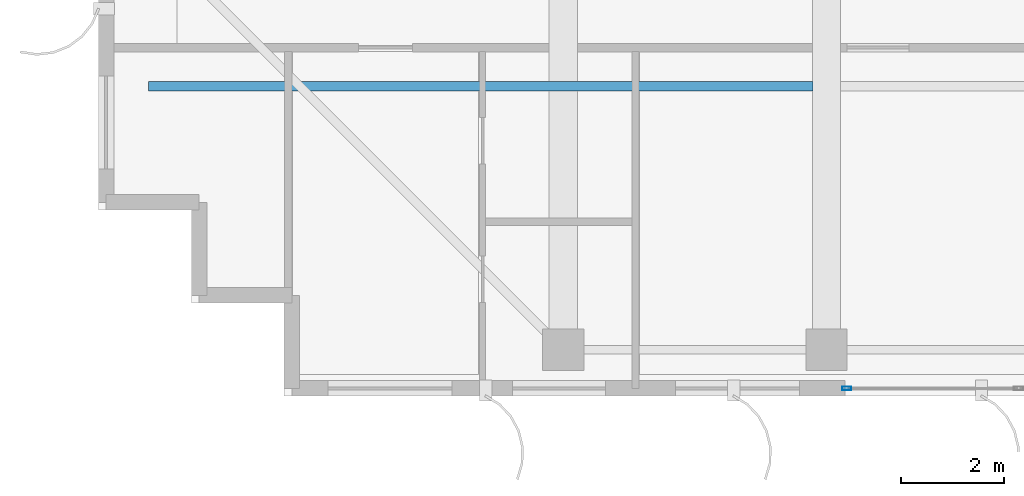
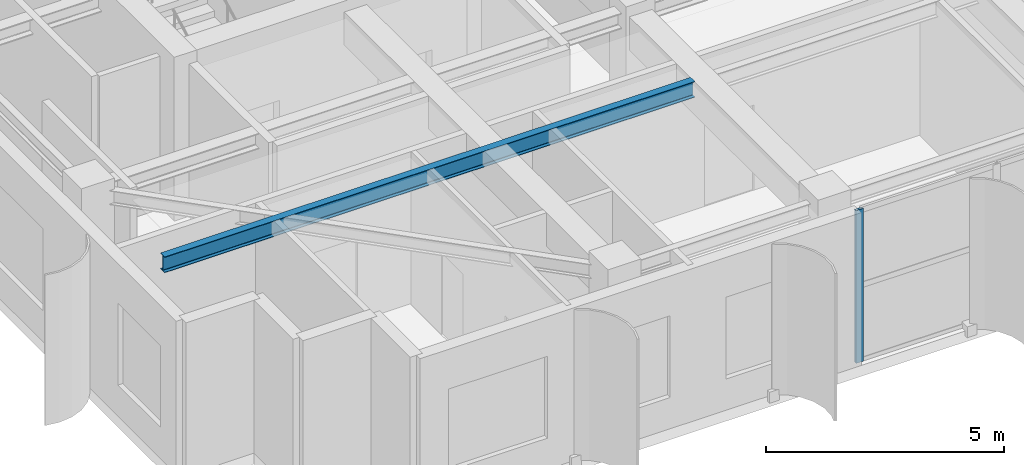
# One storey, part 2 of 26: 1 beam, 1 member, 1 element without a shape of its own.
"""IFC4 building model written with IfcOpenShell, lengths in metres."""

import ifcopenshell
import ifcopenshell.guid

model = None  # the IFC model being written
_history = None  # IfcOwnerHistory: only IFC2X3 demands one
_inside = {}  # id of a spatial element -> (the spatial element, [elements in it])
_under = {}  # id of a project, library or spatial element -> (it, [spatial elements below it])
_declared = {}  # id of a project -> (the project, [libraries it declares])
_typed = {}  # id of a type object -> (the type object, [elements of that type])
_made_of = {}  # id of a material, layer set ... -> (it, [elements and type objects made of it])


def new_model(schema):
    """Start an empty IFC model of exactly this schema.

    Asked for "IFC4X3", IfcOpenShell would pick the latest addendum, in which some entities
    have other attributes; the version numbers below select the first issue.
    IFC2X3 requires an IfcOwnerHistory on every rooted entity: one is made here for all.
    """
    global model, _history
    if schema == "IFC4X3":
        model = ifcopenshell.file(schema_version=(4, 3, 0, 0))
    else:
        model = ifcopenshell.file(schema=schema)
    _inside.clear()
    _under.clear()
    _declared.clear()
    _typed.clear()
    _made_of.clear()
    _history = None
    if model.schema == "IFC2X3":
        org = make("IfcOrganization", Name="unknown")
        user = make(
            "IfcPersonAndOrganization",
            ThePerson=make("IfcPerson", FamilyName="unknown"),
            TheOrganization=org,
        )
        app = make(
            "IfcApplication",
            ApplicationDeveloper=org,
            Version="unknown",
            ApplicationFullName="unknown",
            ApplicationIdentifier="unknown",
        )
        _history = make(
            "IfcOwnerHistory",
            OwningUser=user,
            OwningApplication=app,
            ChangeAction="ADDED",
            CreationDate=0,
        )
    return model


def make(cls, **values):
    """One entity of the class cls with the attributes given. An attribute that is None is left unset."""
    return model.create_entity(
        cls, **{name: value for name, value in values.items() if value is not None}
    )


def rooted(cls, **values):
    """An entity with a GlobalId (a new one), such as an element, a storey or a relation."""
    return make(cls, GlobalId=ifcopenshell.guid.new(), OwnerHistory=_history, **values)


def si_unit(unit_type, name, prefix=None):
    """IfcSIUnit, for example si_unit("LENGTHUNIT", "METRE", prefix="MILLI")."""
    return make("IfcSIUnit", UnitType=unit_type, Prefix=prefix, Name=name)


def assignment(units):
    """IfcUnitAssignment: the units of a project."""
    return None if units is None else make("IfcUnitAssignment", Units=units)


def point(xyz):
    """IfcCartesianPoint."""
    return None if xyz is None else make("IfcCartesianPoint", Coordinates=xyz)


def direction(xyz):
    """IfcDirection."""
    return None if xyz is None else make("IfcDirection", DirectionRatios=xyz)


def frame(location, z_axis=None, x_axis=None):
    """IfcAxis2Placement3D, a coordinate frame: its origin and axes. An axis left out is left unset."""
    return make(
        "IfcAxis2Placement3D",
        Location=point(location),
        Axis=direction(z_axis),
        RefDirection=direction(x_axis),
    )


def frame_2d(location, x_axis=None):
    """IfcAxis2Placement2D, a coordinate frame in the plane: its origin and x axis."""
    return make(
        "IfcAxis2Placement2D", Location=point(location), RefDirection=direction(x_axis)
    )


def origin():
    """The frame at (0, 0, 0) with its axes left unset."""
    return frame((0.0, 0.0, 0.0))


def origin_2d():
    """The frame at (0, 0) in the plane with its x axis left unset."""
    return frame_2d((0.0, 0.0))


def place(relative_to, where):
    """IfcLocalPlacement: puts the frame where relative to a parent placement (None: the world)."""
    return make(
        "IfcLocalPlacement", PlacementRelTo=relative_to, RelativePlacement=where
    )


def context(
    kind, dimensions, precision=None, world=None, true_north=None, identifier=None
):
    """IfcGeometricRepresentationContext, for example the 3D "Model" context."""
    return make(
        "IfcGeometricRepresentationContext",
        ContextIdentifier=identifier,
        ContextType=kind,
        CoordinateSpaceDimension=dimensions,
        Precision=precision,
        WorldCoordinateSystem=world,
        TrueNorth=true_north,
    )


def subcontext(parent, identifier, kind, view, scale=None):
    """IfcGeometricRepresentationSubContext, for example "Body" below "Model"."""
    return make(
        "IfcGeometricRepresentationSubContext",
        ContextIdentifier=identifier,
        ContextType=kind,
        ParentContext=parent,
        TargetScale=scale,
        TargetView=view,
    )


def project(units=None, contexts=None):
    """IfcProject with its units and contexts."""
    return rooted(
        "IfcProject",
        Name="project",
        RepresentationContexts=contexts,
        UnitsInContext=assignment(units),
    )


def spatial(cls, under=None, at=None, **own):
    """A site, building, storey or space (cls), placed at a placement, below another one or the project."""
    s = rooted(cls, ObjectPlacement=at, **own)
    if under is not None:
        _under.setdefault(under.id(), (under, []))[1].append(s)
    return s


def profile(cls, at=None, kind="AREA", **sizes):
    """A parametric profile (cls). Its sizes go by their IFC names, for example OverallWidth=200.0."""
    return make(cls, ProfileType=kind, Position=at, **sizes)


def hollow_rectangle(**sizes):
    """IfcRectangleHollowProfileDef."""
    return profile("IfcRectangleHollowProfileDef", **sizes)


def i_section(**sizes):
    """IfcIShapeProfileDef."""
    return profile("IfcIShapeProfileDef", **sizes)


def extrude(swept, where, along, depth):
    """IfcExtrudedAreaSolid: the profile swept, set in the frame where, extruded along a direction by depth."""
    return make(
        "IfcExtrudedAreaSolid",
        SweptArea=swept,
        Position=where,
        ExtrudedDirection=direction(along),
        Depth=depth,
    )


def shape(context_of_items, identifier, shape_type, items):
    """IfcShapeRepresentation: the items that make up one representation, for example the "Body"."""
    return make(
        "IfcShapeRepresentation",
        ContextOfItems=context_of_items,
        RepresentationIdentifier=identifier,
        RepresentationType=shape_type,
        Items=items,
    )


def source(mapping_origin, context_of_items, identifier, shape_type, items):
    """IfcRepresentationMap: a shape defined once, which mapped items show again and again."""
    return make(
        "IfcRepresentationMap",
        MappingOrigin=mapping_origin,
        MappedRepresentation=shape(context_of_items, identifier, shape_type, items),
    )


def transform(
    local_origin,
    x_axis=None,
    y_axis=None,
    z_axis=None,
    scale=None,
    scale2=None,
    scale3=None,
    uniform=True,
):
    """IfcCartesianTransformationOperator3D, or its non-uniform kind. x_axis, y_axis, z_axis: its Axis1, 2, 3."""
    if uniform:
        return make(
            "IfcCartesianTransformationOperator3D",
            Axis1=direction(x_axis),
            Axis2=direction(y_axis),
            LocalOrigin=point(local_origin),
            Scale=scale,
            Axis3=direction(z_axis),
        )
    return make(
        "IfcCartesianTransformationOperator3DnonUniform",
        Axis1=direction(x_axis),
        Axis2=direction(y_axis),
        LocalOrigin=point(local_origin),
        Scale=scale,
        Axis3=direction(z_axis),
        Scale2=scale2,
        Scale3=scale3,
    )


def mapped(mapping_source, mapping_target):
    """IfcMappedItem: shows the shape of a source again, moved by a transform."""
    return make(
        "IfcMappedItem", MappingSource=mapping_source, MappingTarget=mapping_target
    )


def material(Name=None, Category=None):
    """IfcMaterial."""
    return make("IfcMaterial", Name=Name, Category=Category)


def layer(
    of_material, thickness, ventilated=None, Name=None, Category=None, Priority=None
):
    """IfcMaterialLayer: one layer of a wall or slab, of a material (None: an air gap)."""
    return make(
        "IfcMaterialLayer",
        Material=of_material,
        LayerThickness=thickness,
        IsVentilated=ventilated,
        Name=Name,
        Category=Category,
        Priority=Priority,
    )


def layer_set(layers, Name=None):
    """IfcMaterialLayerSet."""
    return make("IfcMaterialLayerSet", MaterialLayers=layers, LayerSetName=Name)


def material_profile(
    of_material, cross_section, Name=None, Category=None, Priority=None
):
    """IfcMaterialProfile: a cross section and its material."""
    return make(
        "IfcMaterialProfile",
        Name=Name,
        Material=of_material,
        Profile=cross_section,
        Priority=Priority,
        Category=Category,
    )


def profile_set(profiles, Name=None, composite=None):
    """IfcMaterialProfileSet."""
    return make(
        "IfcMaterialProfileSet",
        Name=Name,
        MaterialProfiles=profiles,
        CompositeProfile=composite,
    )


def made_of(thing, what):
    """Note that an element or type object is made of a material, layer set ...; save() writes the relation."""
    if what is not None:
        _made_of.setdefault(what.id(), (what, []))[1].append(thing)
    return thing


def type_object(cls, material=None, **own):
    """A type object (cls), such as IfcWallType, which elements share."""
    return made_of(rooted(cls, **own), material)


def element(
    cls,
    number,
    at=None,
    inside=None,
    cuts=None,
    type_object=None,
    material=None,
    context=None,
    identifier="Body",
    shape_type=None,
    held_by="IfcProductDefinitionShape",
    body=None,
    shapes=None,
    **own,
):
    """One element of the class cls, such as IfcWall. Its Tag is "e" and its number.

    at: its placement. inside: the storey or other place that contains it. cuts: it is an
    opening in that element (IfcRelVoidsElement). A single representation is given by context,
    identifier, shape_type and body (its items); several are given by shapes. held_by: the class
    of the entity that holds the representations. save() writes the other relations.
    """
    e = rooted(cls, Tag="e%d" % number, ObjectPlacement=at, **own)
    if body is not None:
        shapes = [shape(context, identifier, shape_type, body)]
    if shapes is not None:
        e.Representation = make(held_by, Representations=shapes)
    if inside is not None:
        _inside.setdefault(inside.id(), (inside, []))[1].append(e)
    if cuts is not None:
        rooted(
            "IfcRelVoidsElement", RelatingBuildingElement=cuts, RelatedOpeningElement=e
        )
    if type_object is not None:
        _typed.setdefault(type_object.id(), (type_object, []))[1].append(e)
    return made_of(e, material)


def aggregate(whole, parts):
    """IfcRelAggregates: a whole, such as a stair, and the parts it consists of."""
    return rooted("IfcRelAggregates", RelatingObject=whole, RelatedObjects=parts)


def save(model, path):
    """Write the relations noted so far, then the file.

    IfcRelAggregates (storeys below a building ...), IfcRelContainedInSpatialStructure (elements
    in a storey), IfcRelDefinesByType, IfcRelAssociatesMaterial and IfcRelDeclares: one each for
    every whole, place, type object, material and project.
    """
    for whole, parts in _under.values():
        aggregate(whole, parts)
    for where, things in _inside.values():
        rooted(
            "IfcRelContainedInSpatialStructure",
            RelatedElements=things,
            RelatingStructure=where,
        )
    for kind, things in _typed.values():
        rooted("IfcRelDefinesByType", RelatedObjects=things, RelatingType=kind)
    for what, things in _made_of.values():
        rooted("IfcRelAssociatesMaterial", RelatedObjects=things, RelatingMaterial=what)
    for by, libraries in _declared.values():
        rooted("IfcRelDeclares", RelatingContext=by, RelatedDefinitions=libraries)
    model.write(path)


model = new_model("IFC4")

# Units and contexts
model_context = context("Model", 3, precision=1e-05, world=origin(), true_north=direction((0.0, 1.0)))
body_context = subcontext(model_context, "Body", "Model", "MODEL_VIEW")
ifc_project = project(units=[si_unit("LENGTHUNIT", "METRE"), si_unit("AREAUNIT", "SQUARE_METRE"), si_unit("VOLUMEUNIT", "CUBIC_METRE"), si_unit("PLANEANGLEUNIT", "RADIAN"), si_unit("MASSUNIT", "GRAM", prefix="KILO")], contexts=[model_context])

# Site, building, storey
site_placement = place(None, origin())
site = spatial("IfcSite", under=ifc_project, at=site_placement, CompositionType="ELEMENT")
building_placement = place(site_placement, origin())
building = spatial("IfcBuilding", under=site, at=building_placement, Name="Khoralis Quay Care Tower", CompositionType="ELEMENT")
storey_placement = place(building_placement, frame((0.0, 0.0, 289.5)))
storey = spatial("IfcBuildingStorey", under=building, at=storey_placement, Name="L76", CompositionType="ELEMENT", Elevation=289.5)

# Beam
ifc_material_1 = material(Name="Steel S355", Category="steel")
ifc_material_profile_1 = material_profile(ifc_material_1, i_section(OverallWidth=0.177978515625, OverallDepth=0.406982421875, WebThickness=0.0078125, FlangeThickness=0.0126953125, FilletRadius=0.012939453125, at=origin_2d()), Name="Steel S355")
ifc_profile_set_1 = profile_set([ifc_material_profile_1], Name="Steel S355")
beam_type = type_object("IfcBeamType", Name="BM-W410X60", PredefinedType="JOIST", material=ifc_profile_set_1)
shared_shape_1 = source(origin(), body_context, "Body", "SweptSolid", [
    extrude(i_section(OverallWidth=0.177978515625, OverallDepth=0.406982421875, WebThickness=0.0078125, FlangeThickness=0.0126953125, FilletRadius=0.012939453125, at=origin_2d()), origin(), (0.0, 0.0, 1.0), 12.865966796875),
])
beam_placement = place(storey_placement, frame((3.970947265625, 9.0, 3.716552734375), z_axis=(1.0, 0.0, 0.0), x_axis=(0.0, 1.0, 0.0)))
element("IfcBeam", 1, at=beam_placement, inside=storey, type_object=beam_type, Name="BM-TJS-L76-21", PredefinedType="JOIST", context=body_context, shape_type="MappedRepresentation", body=[
    mapped(shared_shape_1, transform((0.0, 0.0, 0.0), scale=1.0)),
])

# Curtain wall, member
ifc_material_2 = material(Name="Pale anodised aluminium", Category="aluminium")
ifc_layer = layer(ifc_material_2, 0.159912109375)
ifc_layer_set = layer_set([ifc_layer], Name="Pale anodised aluminium")
curtain_wall_type = type_object("IfcCurtainWallType", Name="CW-SYS-Z3", PredefinedType="NOTDEFINED", material=ifc_layer_set)
curtain_wall_placement = place(storey_placement, origin())
curtain_wall = element("IfcCurtainWall", 2, at=curtain_wall_placement, inside=storey, type_object=curtain_wall_type, Name="L76 Unitised Curtain Wall CW-L76-P1-E0", PredefinedType="NOTDEFINED")
ifc_material_profile_2 = material_profile(ifc_material_2, hollow_rectangle(XDim=0.06494140625, YDim=0.179931640625, WallThickness=0.00390625, at=origin_2d()), Name="Pale anodised aluminium")
ifc_profile_set_2 = profile_set([ifc_material_profile_2], Name="Pale anodised aluminium")
member_type = type_object("IfcMemberType", Name="CW-MUL-180", PredefinedType="MULLION", material=ifc_profile_set_2)
shared_shape_2 = source(origin(), body_context, "Body", "SweptSolid", [
    extrude(hollow_rectangle(XDim=0.06494140625, YDim=0.179931640625, WallThickness=0.00390625, at=origin_2d()), origin(), (0.0, 0.0, 1.0), 3.919921875),
])
member_placement = place(storey_placement, frame((17.489990234375, 3.14990234375, 0.0), z_axis=(0.0, 0.0, 1.0), x_axis=(0.0, 1.0, 0.0)))
member = element("IfcMember", 3, at=member_placement, type_object=member_type, Name="CW3 mullion 1", PredefinedType="MULLION", context=body_context, shape_type="MappedRepresentation", body=[
    mapped(shared_shape_2, transform((0.0, 0.0, 0.0), scale=1.0)),
])
aggregate(curtain_wall, [member])

save(model, "model.ifc")
